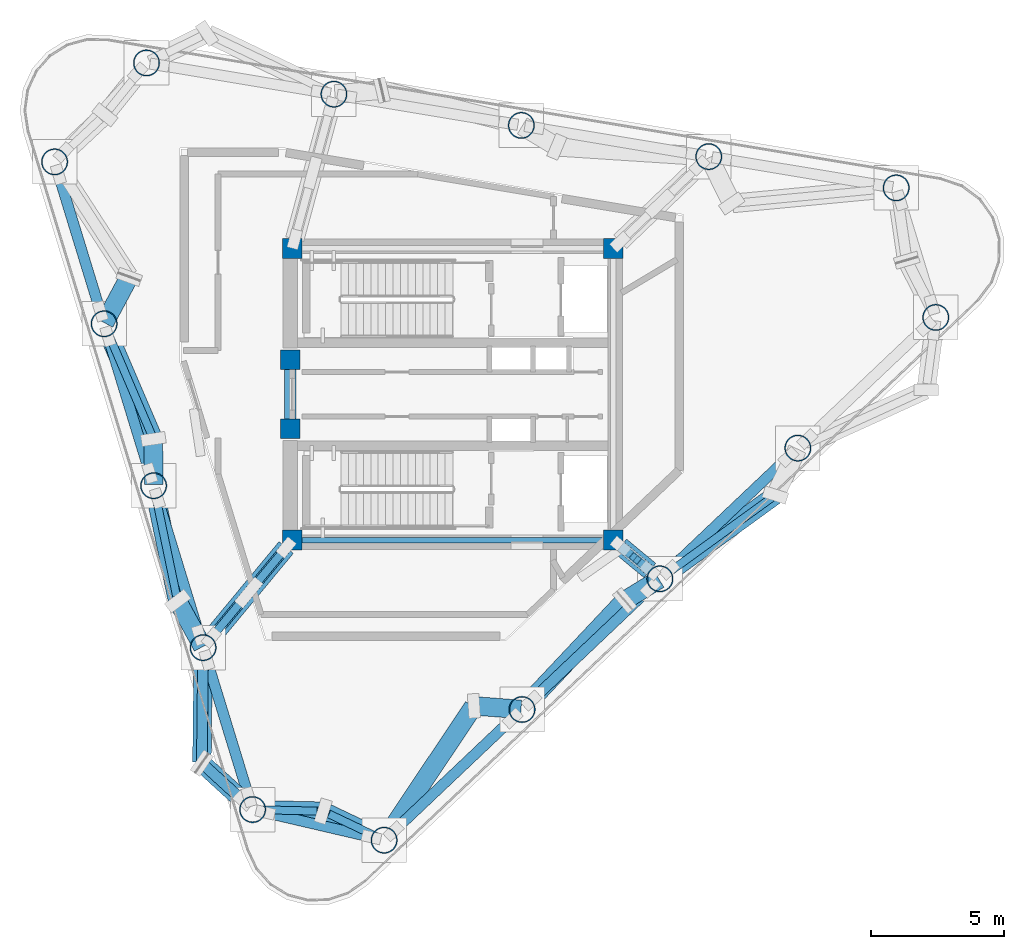
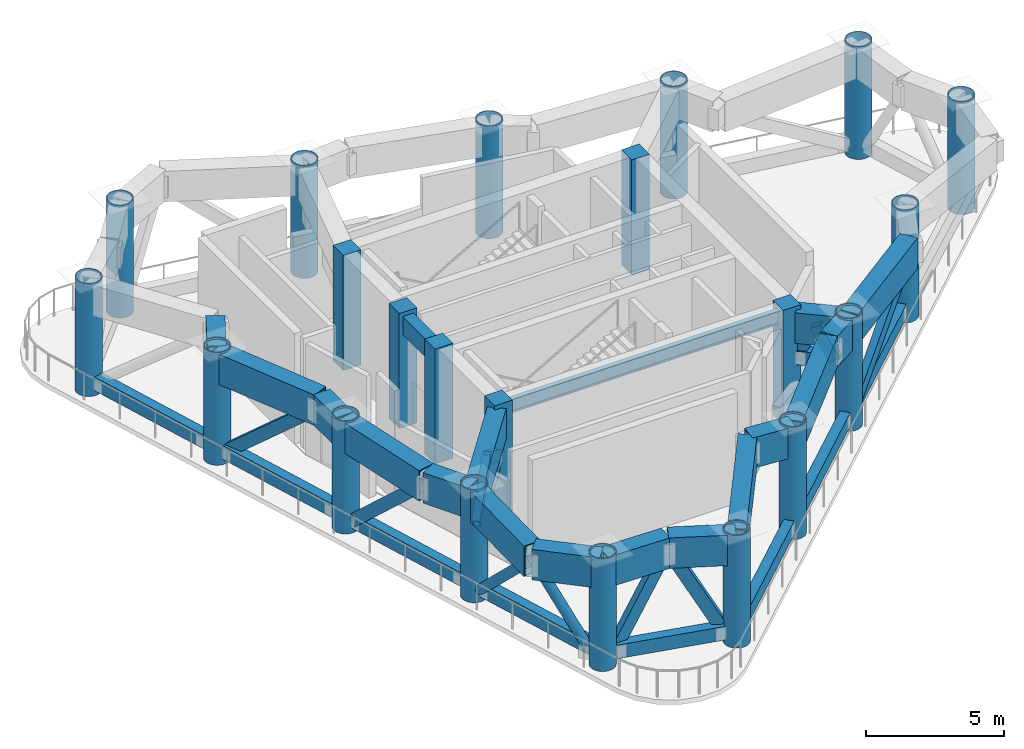
# One storey, part 1 of 9: 21 columns, 21 members, 18 beams.
"""IFC4 building model written with IfcOpenShell, lengths in metres."""

import ifcopenshell
import ifcopenshell.guid

model = None  # the IFC model being written
_history = None  # IfcOwnerHistory: only IFC2X3 demands one
_inside = {}  # id of a spatial element -> (the spatial element, [elements in it])
_under = {}  # id of a project, library or spatial element -> (it, [spatial elements below it])
_declared = {}  # id of a project -> (the project, [libraries it declares])
_typed = {}  # id of a type object -> (the type object, [elements of that type])
_made_of = {}  # id of a material, layer set ... -> (it, [elements and type objects made of it])


def new_model(schema):
    """Start an empty IFC model of exactly this schema.

    Asked for "IFC4X3", IfcOpenShell would pick the latest addendum, in which some entities
    have other attributes; the version numbers below select the first issue.
    IFC2X3 requires an IfcOwnerHistory on every rooted entity: one is made here for all.
    """
    global model, _history
    if schema == "IFC4X3":
        model = ifcopenshell.file(schema_version=(4, 3, 0, 0))
    else:
        model = ifcopenshell.file(schema=schema)
    _inside.clear()
    _under.clear()
    _declared.clear()
    _typed.clear()
    _made_of.clear()
    _history = None
    if model.schema == "IFC2X3":
        org = make("IfcOrganization", Name="unknown")
        user = make(
            "IfcPersonAndOrganization",
            ThePerson=make("IfcPerson", FamilyName="unknown"),
            TheOrganization=org,
        )
        app = make(
            "IfcApplication",
            ApplicationDeveloper=org,
            Version="unknown",
            ApplicationFullName="unknown",
            ApplicationIdentifier="unknown",
        )
        _history = make(
            "IfcOwnerHistory",
            OwningUser=user,
            OwningApplication=app,
            ChangeAction="ADDED",
            CreationDate=0,
        )
    return model


def make(cls, **values):
    """One entity of the class cls with the attributes given. An attribute that is None is left unset."""
    return model.create_entity(
        cls, **{name: value for name, value in values.items() if value is not None}
    )


def rooted(cls, **values):
    """An entity with a GlobalId (a new one), such as an element, a storey or a relation."""
    return make(cls, GlobalId=ifcopenshell.guid.new(), OwnerHistory=_history, **values)


def si_unit(unit_type, name, prefix=None):
    """IfcSIUnit, for example si_unit("LENGTHUNIT", "METRE", prefix="MILLI")."""
    return make("IfcSIUnit", UnitType=unit_type, Prefix=prefix, Name=name)


def assignment(units):
    """IfcUnitAssignment: the units of a project."""
    return None if units is None else make("IfcUnitAssignment", Units=units)


def point(xyz):
    """IfcCartesianPoint."""
    return None if xyz is None else make("IfcCartesianPoint", Coordinates=xyz)


def direction(xyz):
    """IfcDirection."""
    return None if xyz is None else make("IfcDirection", DirectionRatios=xyz)


def frame(location, z_axis=None, x_axis=None):
    """IfcAxis2Placement3D, a coordinate frame: its origin and axes. An axis left out is left unset."""
    return make(
        "IfcAxis2Placement3D",
        Location=point(location),
        Axis=direction(z_axis),
        RefDirection=direction(x_axis),
    )


def frame_2d(location, x_axis=None):
    """IfcAxis2Placement2D, a coordinate frame in the plane: its origin and x axis."""
    return make(
        "IfcAxis2Placement2D", Location=point(location), RefDirection=direction(x_axis)
    )


def origin():
    """The frame at (0, 0, 0) with its axes left unset."""
    return frame((0.0, 0.0, 0.0))


def origin_2d():
    """The frame at (0, 0) in the plane with its x axis left unset."""
    return frame_2d((0.0, 0.0))


def place(relative_to, where):
    """IfcLocalPlacement: puts the frame where relative to a parent placement (None: the world)."""
    return make(
        "IfcLocalPlacement", PlacementRelTo=relative_to, RelativePlacement=where
    )


def context(
    kind, dimensions, precision=None, world=None, true_north=None, identifier=None
):
    """IfcGeometricRepresentationContext, for example the 3D "Model" context."""
    return make(
        "IfcGeometricRepresentationContext",
        ContextIdentifier=identifier,
        ContextType=kind,
        CoordinateSpaceDimension=dimensions,
        Precision=precision,
        WorldCoordinateSystem=world,
        TrueNorth=true_north,
    )


def subcontext(parent, identifier, kind, view, scale=None):
    """IfcGeometricRepresentationSubContext, for example "Body" below "Model"."""
    return make(
        "IfcGeometricRepresentationSubContext",
        ContextIdentifier=identifier,
        ContextType=kind,
        ParentContext=parent,
        TargetScale=scale,
        TargetView=view,
    )


def project(units=None, contexts=None):
    """IfcProject with its units and contexts."""
    return rooted(
        "IfcProject",
        Name="project",
        RepresentationContexts=contexts,
        UnitsInContext=assignment(units),
    )


def spatial(cls, under=None, at=None, **own):
    """A site, building, storey or space (cls), placed at a placement, below another one or the project."""
    s = rooted(cls, ObjectPlacement=at, **own)
    if under is not None:
        _under.setdefault(under.id(), (under, []))[1].append(s)
    return s


def profile(cls, at=None, kind="AREA", **sizes):
    """A parametric profile (cls). Its sizes go by their IFC names, for example OverallWidth=200.0."""
    return make(cls, ProfileType=kind, Position=at, **sizes)


def rectangle(**sizes):
    """IfcRectangleProfileDef."""
    return profile("IfcRectangleProfileDef", **sizes)


def hollow_rectangle(**sizes):
    """IfcRectangleHollowProfileDef."""
    return profile("IfcRectangleHollowProfileDef", **sizes)


def hollow_circle(**sizes):
    """IfcCircleHollowProfileDef."""
    return profile("IfcCircleHollowProfileDef", **sizes)


def i_section(**sizes):
    """IfcIShapeProfileDef."""
    return profile("IfcIShapeProfileDef", **sizes)


def extrude(swept, where, along, depth):
    """IfcExtrudedAreaSolid: the profile swept, set in the frame where, extruded along a direction by depth."""
    return make(
        "IfcExtrudedAreaSolid",
        SweptArea=swept,
        Position=where,
        ExtrudedDirection=direction(along),
        Depth=depth,
    )


def shape(context_of_items, identifier, shape_type, items):
    """IfcShapeRepresentation: the items that make up one representation, for example the "Body"."""
    return make(
        "IfcShapeRepresentation",
        ContextOfItems=context_of_items,
        RepresentationIdentifier=identifier,
        RepresentationType=shape_type,
        Items=items,
    )


def source(mapping_origin, context_of_items, identifier, shape_type, items):
    """IfcRepresentationMap: a shape defined once, which mapped items show again and again."""
    return make(
        "IfcRepresentationMap",
        MappingOrigin=mapping_origin,
        MappedRepresentation=shape(context_of_items, identifier, shape_type, items),
    )


def transform(
    local_origin,
    x_axis=None,
    y_axis=None,
    z_axis=None,
    scale=None,
    scale2=None,
    scale3=None,
    uniform=True,
):
    """IfcCartesianTransformationOperator3D, or its non-uniform kind. x_axis, y_axis, z_axis: its Axis1, 2, 3."""
    if uniform:
        return make(
            "IfcCartesianTransformationOperator3D",
            Axis1=direction(x_axis),
            Axis2=direction(y_axis),
            LocalOrigin=point(local_origin),
            Scale=scale,
            Axis3=direction(z_axis),
        )
    return make(
        "IfcCartesianTransformationOperator3DnonUniform",
        Axis1=direction(x_axis),
        Axis2=direction(y_axis),
        LocalOrigin=point(local_origin),
        Scale=scale,
        Axis3=direction(z_axis),
        Scale2=scale2,
        Scale3=scale3,
    )


def mapped(mapping_source, mapping_target):
    """IfcMappedItem: shows the shape of a source again, moved by a transform."""
    return make(
        "IfcMappedItem", MappingSource=mapping_source, MappingTarget=mapping_target
    )


def material(Name=None, Category=None):
    """IfcMaterial."""
    return make("IfcMaterial", Name=Name, Category=Category)


def material_profile(
    of_material, cross_section, Name=None, Category=None, Priority=None
):
    """IfcMaterialProfile: a cross section and its material."""
    return make(
        "IfcMaterialProfile",
        Name=Name,
        Material=of_material,
        Profile=cross_section,
        Priority=Priority,
        Category=Category,
    )


def profile_set(profiles, Name=None, composite=None):
    """IfcMaterialProfileSet."""
    return make(
        "IfcMaterialProfileSet",
        Name=Name,
        MaterialProfiles=profiles,
        CompositeProfile=composite,
    )


def made_of(thing, what):
    """Note that an element or type object is made of a material, layer set ...; save() writes the relation."""
    if what is not None:
        _made_of.setdefault(what.id(), (what, []))[1].append(thing)
    return thing


def type_object(cls, material=None, **own):
    """A type object (cls), such as IfcWallType, which elements share."""
    return made_of(rooted(cls, **own), material)


def element(
    cls,
    number,
    at=None,
    inside=None,
    cuts=None,
    type_object=None,
    material=None,
    context=None,
    identifier="Body",
    shape_type=None,
    held_by="IfcProductDefinitionShape",
    body=None,
    shapes=None,
    **own,
):
    """One element of the class cls, such as IfcWall. Its Tag is "e" and its number.

    at: its placement. inside: the storey or other place that contains it. cuts: it is an
    opening in that element (IfcRelVoidsElement). A single representation is given by context,
    identifier, shape_type and body (its items); several are given by shapes. held_by: the class
    of the entity that holds the representations. save() writes the other relations.
    """
    e = rooted(cls, Tag="e%d" % number, ObjectPlacement=at, **own)
    if body is not None:
        shapes = [shape(context, identifier, shape_type, body)]
    if shapes is not None:
        e.Representation = make(held_by, Representations=shapes)
    if inside is not None:
        _inside.setdefault(inside.id(), (inside, []))[1].append(e)
    if cuts is not None:
        rooted(
            "IfcRelVoidsElement", RelatingBuildingElement=cuts, RelatedOpeningElement=e
        )
    if type_object is not None:
        _typed.setdefault(type_object.id(), (type_object, []))[1].append(e)
    return made_of(e, material)


def aggregate(whole, parts):
    """IfcRelAggregates: a whole, such as a stair, and the parts it consists of."""
    return rooted("IfcRelAggregates", RelatingObject=whole, RelatedObjects=parts)


def save(model, path):
    """Write the relations noted so far, then the file.

    IfcRelAggregates (storeys below a building ...), IfcRelContainedInSpatialStructure (elements
    in a storey), IfcRelDefinesByType, IfcRelAssociatesMaterial and IfcRelDeclares: one each for
    every whole, place, type object, material and project.
    """
    for whole, parts in _under.values():
        aggregate(whole, parts)
    for where, things in _inside.values():
        rooted(
            "IfcRelContainedInSpatialStructure",
            RelatedElements=things,
            RelatingStructure=where,
        )
    for kind, things in _typed.values():
        rooted("IfcRelDefinesByType", RelatedObjects=things, RelatingType=kind)
    for what, things in _made_of.values():
        rooted("IfcRelAssociatesMaterial", RelatedObjects=things, RelatingMaterial=what)
    for by, libraries in _declared.values():
        rooted("IfcRelDeclares", RelatingContext=by, RelatedDefinitions=libraries)
    model.write(path)


model = new_model("IFC4")

# Units and contexts
model_context = context("Model", 3, precision=1e-05, world=origin(), true_north=direction((0.0, 1.0)))
body_context = subcontext(model_context, "Body", "Model", "MODEL_VIEW")
ifc_project = project(units=[si_unit("LENGTHUNIT", "METRE"), si_unit("AREAUNIT", "SQUARE_METRE"), si_unit("VOLUMEUNIT", "CUBIC_METRE"), si_unit("PLANEANGLEUNIT", "RADIAN"), si_unit("MASSUNIT", "GRAM", prefix="KILO")], contexts=[model_context])

# Site, building, storey
site_placement = place(None, origin())
site = spatial("IfcSite", under=ifc_project, at=site_placement, CompositionType="ELEMENT")
building_placement = place(site_placement, origin())
building = spatial("IfcBuilding", under=site, at=building_placement, Name="Yunling Apex Tower", CompositionType="ELEMENT")
storey_placement = place(building_placement, frame((0.0, 0.0, 252.449951171875)))
storey = spatial("IfcBuildingStorey", under=building, at=storey_placement, Name="RF7", CompositionType="ELEMENT", Elevation=252.449951171875)

# Columns
ifc_material_1 = material(Name="Concrete C50", Category="concrete")
ifc_material_profile_1 = material_profile(ifc_material_1, rectangle(XDim=0.75, YDim=0.75, at=origin_2d()))
ifc_profile_set_1 = profile_set([ifc_material_profile_1], Name="Concrete C50")
column_type_1 = type_object("IfcColumnType", Name="PC-SRC-4", PredefinedType="COLUMN", material=ifc_profile_set_1)
shared_shape_1 = source(origin(), body_context, "Body", "SweptSolid", [
    extrude(rectangle(XDim=0.75, YDim=0.75, at=origin_2d()), origin(), (0.0, 0.0, 1.0), 5.10009765625),
])
for number, where, z_axis, x_axis, name in (
    (1, (-6.050048828125, -5.5, 0.0), (0.0, 0.0, 1.0), (1.0, 0.0, 0.0), "RF7 Core Spine Column CC-SW"),
    (2, (6.050048828125, -5.5, 0.0), (0.0, 0.0, 1.0), (1.0, 0.0, 0.0), "RF7 Core Spine Column CC-SE"),
    (3, (6.050048828125, 5.5, 0.0), (0.0, 0.0, 1.0), (1.0, 0.0, 0.0), "RF7 Core Spine Column CC-NE"),
    (4, (-6.050048828125, 5.5, 0.0), (0.0, 0.0, 1.0), (1.0, 0.0, 0.0), "RF7 Core Spine Column CC-NW"),
    (5, (-6.125, -1.300048828125, 0.0), (0.0, 0.0, 1.0), (1.0, 0.0, 0.0), "RF7 Core West Portal Jamb Column S"),
    (6, (-6.125, 1.300048828125, 0.0), (0.0, 0.0, 1.0), (1.0, 0.0, 0.0), "RF7 Core West Portal Jamb Column N"),
):
    element("IfcColumn", number, at=place(storey_placement, frame(where, z_axis=z_axis, x_axis=x_axis)), inside=storey, type_object=column_type_1, Name=name, PredefinedType="COLUMN", context=body_context, shape_type="MappedRepresentation", body=[
        mapped(shared_shape_1, transform((0.0, 0.0, 0.0), scale=1.0)),
    ])
ifc_material_2 = material(Name="Steel Q390GJC", Category="steel")
ifc_material_profile_2 = material_profile(ifc_material_2, hollow_circle(Radius=0.5, WallThickness=0.0400390625, at=origin_2d()))
ifc_profile_set_2 = profile_set([ifc_material_profile_2], Name="Steel Q390GJC")
column_type_2 = type_object("IfcColumnType", Name="MC-CFST-5", PredefinedType="COLUMN", material=ifc_profile_set_2)
shared_shape_2 = source(origin(), body_context, "Body", "SweptSolid", [
    extrude(hollow_circle(Radius=0.5, WallThickness=0.0400390625, at=origin_2d()), origin(), (0.0, 0.0, 1.0), 5.0),
])
for number, where, z_axis, x_axis, name in (
    (7, (-2.58740234375, -16.807861328125, 0.0), (0.0, 0.0, 1.0), (1.0, 0.0, 0.0), "RF7 Lower-Block CFST Column P01"),
    (8, (2.61083984375, -11.8818359375, 0.0), (0.0, 0.0, 1.0), (1.0, 0.0, 0.0), "RF7 Lower-Block CFST Column P02"),
    (9, (7.80908203125, -6.9560546875, 0.0), (0.0, 0.0, 1.0), (1.0, 0.0, 0.0), "RF7 Lower-Block CFST Column P03"),
    (10, (13.007080078125, -2.030029296875, 0.0), (0.0, 0.0, 1.0), (1.0, 0.0, 0.0), "RF7 Lower-Block CFST Column P04"),
    (11, (18.205322265625, 2.89599609375, 0.0), (0.0, 0.0, 1.0), (1.0, 0.0, 0.0), "RF7 Lower-Block CFST Column P05"),
    (12, (16.712158203125, 7.779296875, 0.0), (0.0, 0.0, 1.0), (1.0, 0.0, 0.0), "RF7 Lower-Block CFST Column P06"),
    (13, (9.648193359375, 8.95654296875, 0.0), (0.0, 0.0, 1.0), (1.0, 0.0, 0.0), "RF7 Lower-Block CFST Column P07"),
    (14, (2.584228515625, 10.133544921875, 0.0), (0.0, 0.0, 1.0), (1.0, 0.0, 0.0), "RF7 Lower-Block CFST Column P08"),
    (15, (-4.479736328125, 11.310546875, 0.0), (0.0, 0.0, 1.0), (1.0, 0.0, 0.0), "RF7 Lower-Block CFST Column P09"),
    (16, (-11.543701171875, 12.487548828125, 0.0), (0.0, 0.0, 1.0), (1.0, 0.0, 0.0), "RF7 Lower-Block CFST Column P10"),
    (17, (-15.007568359375, 8.7587890625, 0.0), (0.0, 0.0, 1.0), (1.0, 0.0, 0.0), "RF7 Lower-Block CFST Column P11"),
    (18, (-13.1416015625, 2.65576171875, 0.0), (0.0, 0.0, 1.0), (1.0, 0.0, 0.0), "RF7 Lower-Block CFST Column P12"),
    (19, (-11.27587890625, -3.447509765625, 0.0), (0.0, 0.0, 1.0), (1.0, 0.0, 0.0), "RF7 Lower-Block CFST Column P13"),
    (20, (-9.409912109375, -9.55029296875, 0.0), (0.0, 0.0, 1.0), (1.0, 0.0, 0.0), "RF7 Lower-Block CFST Column P14"),
    (21, (-7.5439453125, -15.6533203125, 0.0), (0.0, 0.0, 1.0), (1.0, 0.0, 0.0), "RF7 Lower-Block CFST Column P15"),
):
    element("IfcColumn", number, at=place(storey_placement, frame(where, z_axis=z_axis, x_axis=x_axis)), inside=storey, type_object=column_type_2, Name=name, PredefinedType="COLUMN", context=body_context, shape_type="MappedRepresentation", body=[
        mapped(shared_shape_2, transform((0.0, 0.0, 0.0), scale=1.0)),
    ])

# Beams
ifc_material_3 = material(Name="Concrete C40", Category="concrete")
ifc_material_profile_3 = material_profile(ifc_material_3, rectangle(XDim=0.449951171875, YDim=0.800048828125, at=origin_2d()))
ifc_profile_set_3 = profile_set([ifc_material_profile_3], Name="Concrete C40")
beam_type_1 = type_object("IfcBeamType", Name="BC-CPL-3", PredefinedType="BEAM", material=ifc_profile_set_3)
shared_shape_3 = source(origin(), body_context, "Body", "SweptSolid", [
    extrude(rectangle(XDim=0.449951171875, YDim=0.800048828125, at=origin_2d()), origin(), (0.0, 0.0, 1.0), 2.5),
])
beam_1_placement = place(storey_placement, frame((-6.125, -1.25, 4.52001953125), z_axis=(0.0, 1.0, 0.0), x_axis=(-1.0, 0.0, 0.0)))
element("IfcBeam", 22, at=beam_1_placement, inside=storey, type_object=beam_type_1, Name="RF7 Core West Portal Coupling Beam", PredefinedType="BEAM", context=body_context, shape_type="MappedRepresentation", body=[
    mapped(shared_shape_3, transform((0.0, 0.0, 0.0), scale=1.0)),
])
ifc_material_4 = material(Name="Steel Q355B", Category="steel")
ifc_material_profile_4 = material_profile(ifc_material_4, i_section(OverallWidth=0.199951171875, OverallDepth=0.60009765625, WebThickness=0.010986328125, FlangeThickness=0.01708984375, FilletRadius=0.02197265625, at=origin_2d()))
ifc_profile_set_4 = profile_set([ifc_material_profile_4], Name="Steel Q355B")
beam_type_2 = type_object("IfcBeamType", Name="BG-PRI-5", PredefinedType="USERDEFINED", material=ifc_profile_set_4)
shared_shape_4 = source(origin(), body_context, "Body", "SweptSolid", [
    extrude(i_section(OverallWidth=0.199951171875, OverallDepth=0.60009765625, WebThickness=0.010986328125, FlangeThickness=0.01708984375, FilletRadius=0.02197265625, at=origin_2d()), origin(), (0.0, 0.0, 1.0), 11.7998046875),
])
beam_2_placement = place(storey_placement, frame((-5.89990234375, -5.5, 4.6201171875), z_axis=(1.0, 0.0, 0.0), x_axis=(0.0, 1.0, 0.0)))
element("IfcBeam", 23, at=beam_2_placement, inside=storey, type_object=beam_type_2, Name="RF7 Core Ring Tie Beam 1", ObjectType="GIRDER", PredefinedType="USERDEFINED", context=body_context, shape_type="MappedRepresentation", body=[
    mapped(shared_shape_4, transform((0.0, 0.0, 0.0), scale=1.0)),
])
ifc_material_profile_5 = material_profile(ifc_material_2, hollow_rectangle(XDim=0.699951171875, YDim=1.35009765625, WallThickness=0.044921875, at=origin_2d()))
ifc_profile_set_5 = profile_set([ifc_material_profile_5], Name="Steel Q390GJC")
beam_type_3 = type_object("IfcBeamType", Name="BTRNG-2", PredefinedType="USERDEFINED", material=ifc_profile_set_5)
shared_shape_5 = source(origin(), body_context, "Body", "SweptSolid", [
    extrude(hollow_rectangle(XDim=0.699951171875, YDim=1.35009765625, WallThickness=0.044921875, at=origin_2d()), origin(), (0.0, 0.0, 1.0), 2.511962890625),
])
beam_3_placement = place(storey_placement, frame((-9.427978515625, -13.93212890625, 4.2451171875), z_axis=(0.738266623868, -0.674509000743, 0.0), x_axis=(0.674509000743, 0.738266623868, 0.0)))
element("IfcBeam", 24, at=beam_3_placement, inside=storey, type_object=beam_type_3, Name="RF7 Panel-Split Box Ring Transfer Girder 5", ObjectType="GIRDER", PredefinedType="USERDEFINED", context=body_context, shape_type="MappedRepresentation", body=[
    mapped(shared_shape_5, transform((0.0, 0.0, 0.0), scale=1.0)),
])

# Members
ifc_material_profile_6 = material_profile(ifc_material_4, hollow_rectangle(XDim=0.39990234375, YDim=0.60009765625, WallThickness=0.030029296875, at=origin_2d()))
ifc_profile_set_6 = profile_set([ifc_material_profile_6], Name="Steel Q355B")
member_type_1 = type_object("IfcMemberType", Name="BT-CHD-2", PredefinedType="CHORD", material=ifc_profile_set_6)
shared_shape_6 = source(origin(), body_context, "Body", "SweptSolid", [
    extrude(hollow_rectangle(XDim=0.39990234375, YDim=0.60009765625, WallThickness=0.030029296875, at=origin_2d()), origin(), (0.0, 0.0, 1.0), 6.177490234375),
])
for number, where, z_axis, x_axis, name in (
    (25, (-2.230224609375, -16.469482421875, 0.550048828125), (0.725841554244, 0.687861932463, 0.0), (-0.687861932463, 0.725841554244, 0.0), "RF7 Belt-Truss Bottom Chord 1"),
    (26, (8.166015625, -6.61767578125, 0.550048828125), (0.725841554244, 0.687861932463, 0.0), (-0.687861932463, 0.725841554244, 0.0), "RF7 Belt-Truss Bottom Chord 3"),
):
    element("IfcMember", number, at=place(storey_placement, frame(where, z_axis=z_axis, x_axis=x_axis)), inside=storey, type_object=member_type_1, Name=name, PredefinedType="CHORD", context=body_context, shape_type="MappedRepresentation", body=[
        mapped(shared_shape_6, transform((0.0, 0.0, 0.0), scale=1.0)),
    ])
shared_shape_7 = source(origin(), body_context, "Body", "SweptSolid", [
    extrude(hollow_rectangle(XDim=0.39990234375, YDim=0.60009765625, WallThickness=0.030029296875, at=origin_2d()), origin(), (0.0, 0.0, 1.0), 6.17724609375),
])
member_1_placement = place(storey_placement, frame((2.968017578125, -11.54345703125, 0.550048828125), z_axis=(0.725861286448, 0.687841110167, 0.0), x_axis=(-0.687841110167, 0.725861286448, 0.0)))
element("IfcMember", 27, at=member_1_placement, inside=storey, type_object=member_type_1, Name="RF7 Belt-Truss Bottom Chord 2", PredefinedType="CHORD", context=body_context, shape_type="MappedRepresentation", body=[
    mapped(shared_shape_7, transform((0.0, 0.0, 0.0), scale=1.0)),
])
shared_shape_8 = source(origin(), body_context, "Body", "SweptSolid", [
    extrude(hollow_rectangle(XDim=0.39990234375, YDim=0.60009765625, WallThickness=0.030029296875, at=origin_2d()), origin(), (0.0, 0.0, 1.0), 5.397705078125),
])
for number, where, z_axis, x_axis, name in (
    (28, (-14.86376953125, 8.2880859375, 0.550048828125), (0.292410429043, -0.956292915893, 0.0), (0.956292915893, 0.292410429043, 0.0), "RF7 Belt-Truss Bottom Chord 11"),
    (29, (-11.132080078125, -3.91796875, 0.550048828125), (0.292410429043, -0.956292915893, 0.0), (0.956292915893, 0.292410429043, 0.0), "RF7 Belt-Truss Bottom Chord 13"),
    (30, (-9.26611328125, -10.02099609375, 0.550048828125), (0.292410429043, -0.956292915893, 0.0), (0.956292915893, 0.292410429043, 0.0), "RF7 Belt-Truss Bottom Chord 14"),
):
    element("IfcMember", number, at=place(storey_placement, frame(where, z_axis=z_axis, x_axis=x_axis)), inside=storey, type_object=member_type_1, Name=name, PredefinedType="CHORD", context=body_context, shape_type="MappedRepresentation", body=[
        mapped(shared_shape_8, transform((0.0, 0.0, 0.0), scale=1.0)),
    ])
shared_shape_9 = source(origin(), body_context, "Body", "SweptSolid", [
    extrude(hollow_rectangle(XDim=0.39990234375, YDim=0.60009765625, WallThickness=0.030029296875, at=origin_2d()), origin(), (0.0, 0.0, 1.0), 5.39794921875),
])
member_2_placement = place(storey_placement, frame((-12.997802734375, 2.185302734375, 0.550048828125), z_axis=(0.292356420153, -0.956309428791, 0.0), x_axis=(0.956309428791, 0.292356420153, 0.0)))
element("IfcMember", 31, at=member_2_placement, inside=storey, type_object=member_type_1, Name="RF7 Belt-Truss Bottom Chord 12", PredefinedType="CHORD", context=body_context, shape_type="MappedRepresentation", body=[
    mapped(shared_shape_9, transform((0.0, 0.0, 0.0), scale=1.0)),
])
shared_shape_10 = source(origin(), body_context, "Body", "SweptSolid", [
    extrude(hollow_rectangle(XDim=0.39990234375, YDim=0.60009765625, WallThickness=0.030029296875, at=origin_2d()), origin(), (0.0, 0.0, 1.0), 4.105224609375),
])
member_3_placement = place(storey_placement, frame((-7.064697265625, -15.764892578125, 0.550048828125), z_axis=(0.97392405062, -0.226874290353, 0.0), x_axis=(0.226874290353, 0.97392405062, 0.0)))
element("IfcMember", 32, at=member_3_placement, inside=storey, type_object=member_type_1, Name="RF7 Belt-Truss Bottom Chord 15", PredefinedType="CHORD", context=body_context, shape_type="MappedRepresentation", body=[
    mapped(shared_shape_10, transform((0.0, 0.0, 0.0), scale=1.0)),
])

# Beams
shared_shape_11 = source(origin(), body_context, "Body", "SweptSolid", [
    extrude(hollow_rectangle(XDim=0.699951171875, YDim=1.35009765625, WallThickness=0.044921875, at=origin_2d()), origin(), (0.0, 0.0, 1.0), 1.68115234375),
])
beam_4_placement = place(storey_placement, frame((-11.283447265625, -1.726318359375, 4.2451171875), z_axis=(0.004501842269, -0.999989866657, 0.0), x_axis=(0.999989866657, 0.004501842269, 0.0)))
element("IfcBeam", 33, at=beam_4_placement, inside=storey, type_object=beam_type_3, Name="RF7 Panel-Split Box Ring Transfer Girder 1", ObjectType="GIRDER", PredefinedType="USERDEFINED", context=body_context, shape_type="MappedRepresentation", body=[
    mapped(shared_shape_11, transform((0.0, 0.0, 0.0), scale=1.0)),
])
shared_shape_12 = source(origin(), body_context, "Body", "SweptSolid", [
    extrude(hollow_rectangle(XDim=0.699951171875, YDim=1.35009765625, WallThickness=0.044921875, at=origin_2d()), origin(), (0.0, 0.0, 1.0), 4.361572265625),
])
beam_5_placement = place(storey_placement, frame((-11.267578125, -3.486572265625, 4.2451171875), z_axis=(0.203753071077, -0.979022311302, 0.0), x_axis=(0.979022311302, 0.203753071077, 0.0)))
element("IfcBeam", 34, at=beam_5_placement, inside=storey, type_object=beam_type_3, Name="RF7 Panel-Split Box Ring Transfer Girder 2", ObjectType="GIRDER", PredefinedType="USERDEFINED", context=body_context, shape_type="MappedRepresentation", body=[
    mapped(shared_shape_12, transform((0.0, 0.0, 0.0), scale=1.0)),
])
shared_shape_13 = source(origin(), body_context, "Body", "SweptSolid", [
    extrude(hollow_rectangle(XDim=0.699951171875, YDim=1.35009765625, WallThickness=0.044921875, at=origin_2d()), origin(), (0.0, 0.0, 1.0), 1.92041015625),
])
beam_6_placement = place(storey_placement, frame((-10.351318359375, -7.830810546875, 4.2451171875), z_axis=(0.480160931368, -0.877180414731, 0.0), x_axis=(0.877180414731, 0.480160931368, 0.0)))
element("IfcBeam", 35, at=beam_6_placement, inside=storey, type_object=beam_type_3, Name="RF7 Panel-Split Box Ring Transfer Girder 3", ObjectType="GIRDER", PredefinedType="USERDEFINED", context=body_context, shape_type="MappedRepresentation", body=[
    mapped(shared_shape_13, transform((0.0, 0.0, 0.0), scale=1.0)),
])
shared_shape_14 = source(origin(), body_context, "Body", "SweptSolid", [
    extrude(hollow_rectangle(XDim=0.699951171875, YDim=1.35009765625, WallThickness=0.044921875, at=origin_2d()), origin(), (0.0, 0.0, 1.0), 4.275146484375),
])
beam_7_placement = place(storey_placement, frame((-9.410400390625, -9.59033203125, 4.2451171875), z_axis=(-0.010964503627, -0.999939888023, 0.0), x_axis=(0.999939888023, -0.010964503627, 0.0)))
element("IfcBeam", 36, at=beam_7_placement, inside=storey, type_object=beam_type_3, Name="RF7 Panel-Split Box Ring Transfer Girder 4", ObjectType="GIRDER", PredefinedType="USERDEFINED", context=body_context, shape_type="MappedRepresentation", body=[
    mapped(shared_shape_14, transform((0.0, 0.0, 0.0), scale=1.0)),
])
shared_shape_15 = source(origin(), body_context, "Body", "SweptSolid", [
    extrude(hollow_rectangle(XDim=0.699951171875, YDim=1.35009765625, WallThickness=0.044921875, at=origin_2d()), origin(), (0.0, 0.0, 1.0), 2.580810546875),
])
beam_8_placement = place(storey_placement, frame((-7.50390625, -15.654296875, 4.2451171875), z_axis=(0.999715815546, -0.023838794996, 0.0), x_axis=(0.023838794996, 0.999715815546, 0.0)))
element("IfcBeam", 37, at=beam_8_placement, inside=storey, type_object=beam_type_3, Name="RF7 Panel-Split Box Ring Transfer Girder 6", ObjectType="GIRDER", PredefinedType="USERDEFINED", context=body_context, shape_type="MappedRepresentation", body=[
    mapped(shared_shape_15, transform((0.0, 0.0, 0.0), scale=1.0)),
])
shared_shape_16 = source(origin(), body_context, "Body", "SweptSolid", [
    extrude(hollow_rectangle(XDim=0.699951171875, YDim=1.35009765625, WallThickness=0.044921875, at=origin_2d()), origin(), (0.0, 0.0, 1.0), 2.462646484375),
])
beam_9_placement = place(storey_placement, frame((-4.84765625, -15.734130859375, 4.2451171875), z_axis=(0.903266937882, -0.429079059066, 0.0), x_axis=(0.429079059066, 0.903266937882, 0.0)))
element("IfcBeam", 38, at=beam_9_placement, inside=storey, type_object=beam_type_3, Name="RF7 Panel-Split Box Ring Transfer Girder 7", ObjectType="GIRDER", PredefinedType="USERDEFINED", context=body_context, shape_type="MappedRepresentation", body=[
    mapped(shared_shape_16, transform((0.0, 0.0, 0.0), scale=1.0)),
])
shared_shape_17 = source(origin(), body_context, "Body", "SweptSolid", [
    extrude(hollow_rectangle(XDim=0.699951171875, YDim=1.35009765625, WallThickness=0.044921875, at=origin_2d()), origin(), (0.0, 0.0, 1.0), 6.010009765625),
])
beam_10_placement = place(storey_placement, frame((-2.565185546875, -16.774658203125, 4.2451171875), z_axis=(0.555759061512, 0.831343410119, 0.0), x_axis=(-0.831343410119, 0.555759061512, 0.0)))
element("IfcBeam", 39, at=beam_10_placement, inside=storey, type_object=beam_type_3, Name="RF7 Panel-Split Box Ring Transfer Girder 8", ObjectType="GIRDER", PredefinedType="USERDEFINED", context=body_context, shape_type="MappedRepresentation", body=[
    mapped(shared_shape_17, transform((0.0, 0.0, 0.0), scale=1.0)),
])
shared_shape_18 = source(origin(), body_context, "Body", "SweptSolid", [
    extrude(hollow_rectangle(XDim=0.699951171875, YDim=1.35009765625, WallThickness=0.044921875, at=origin_2d()), origin(), (0.0, 0.0, 1.0), 1.73876953125),
])
beam_11_placement = place(storey_placement, frame((0.8369140625, -11.747802734375, 4.2451171875), z_axis=(0.997153574155, -0.075397278136, 0.0), x_axis=(0.075397278136, 0.997153574155, 0.0)))
element("IfcBeam", 40, at=beam_11_placement, inside=storey, type_object=beam_type_3, Name="RF7 Panel-Split Box Ring Transfer Girder 9", ObjectType="GIRDER", PredefinedType="USERDEFINED", context=body_context, shape_type="MappedRepresentation", body=[
    mapped(shared_shape_18, transform((0.0, 0.0, 0.0), scale=1.0)),
])
shared_shape_19 = source(origin(), body_context, "Body", "SweptSolid", [
    extrude(hollow_rectangle(XDim=0.699951171875, YDim=1.35009765625, WallThickness=0.044921875, at=origin_2d()), origin(), (0.0, 0.0, 1.0), 5.562744140625),
])
beam_12_placement = place(storey_placement, frame((2.63818359375, -11.852783203125, 4.2451171875), z_axis=(0.685364699005, 0.728199992693, 0.0), x_axis=(-0.728199992693, 0.685364699005, 0.0)))
element("IfcBeam", 41, at=beam_12_placement, inside=storey, type_object=beam_type_3, Name="RF7 Panel-Split Box Ring Transfer Girder 10", ObjectType="GIRDER", PredefinedType="USERDEFINED", context=body_context, shape_type="MappedRepresentation", body=[
    mapped(shared_shape_19, transform((0.0, 0.0, 0.0), scale=1.0)),
])
shared_shape_20 = source(origin(), body_context, "Body", "SweptSolid", [
    extrude(hollow_rectangle(XDim=0.699951171875, YDim=1.35009765625, WallThickness=0.044921875, at=origin_2d()), origin(), (0.0, 0.0, 1.0), 1.481689453125),
])
beam_13_placement = place(storey_placement, frame((6.51220703125, -7.752197265625, 4.2451171875), z_axis=(0.852155758073, 0.523288222668, 0.0), x_axis=(-0.523288222668, 0.852155758073, 0.0)))
element("IfcBeam", 42, at=beam_13_placement, inside=storey, type_object=beam_type_3, Name="RF7 Panel-Split Box Ring Transfer Girder 11", ObjectType="GIRDER", PredefinedType="USERDEFINED", context=body_context, shape_type="MappedRepresentation", body=[
    mapped(shared_shape_20, transform((0.0, 0.0, 0.0), scale=1.0)),
])
shared_shape_21 = source(origin(), body_context, "Body", "SweptSolid", [
    extrude(hollow_rectangle(XDim=0.699951171875, YDim=1.35009765625, WallThickness=0.044921875, at=origin_2d()), origin(), (0.0, 0.0, 1.0), 5.29345703125),
])
beam_14_placement = place(storey_placement, frame((7.84130859375, -6.9326171875, 4.2451171875), z_axis=(0.80950522827, 0.587112668407, 0.0), x_axis=(-0.587112668407, 0.80950522827, 0.0)))
element("IfcBeam", 43, at=beam_14_placement, inside=storey, type_object=beam_type_3, Name="RF7 Panel-Split Box Ring Transfer Girder 12", ObjectType="GIRDER", PredefinedType="USERDEFINED", context=body_context, shape_type="MappedRepresentation", body=[
    mapped(shared_shape_21, transform((0.0, 0.0, 0.0), scale=1.0)),
])
shared_shape_22 = source(origin(), body_context, "Body", "SweptSolid", [
    extrude(hollow_rectangle(XDim=0.699951171875, YDim=1.35009765625, WallThickness=0.044921875, at=origin_2d()), origin(), (0.0, 0.0, 1.0), 1.924072265625),
])
beam_15_placement = place(storey_placement, frame((-12.215576171875, 4.3876953125, 4.2451171875), z_axis=(-0.471509990527, -0.881860719634, 0.0), x_axis=(0.881860719634, -0.471509990527, 0.0)))
element("IfcBeam", 44, at=beam_15_placement, inside=storey, type_object=beam_type_3, Name="RF7 Panel-Split Box Ring Transfer Girder 29", ObjectType="GIRDER", PredefinedType="USERDEFINED", context=body_context, shape_type="MappedRepresentation", body=[
    mapped(shared_shape_22, transform((0.0, 0.0, 0.0), scale=1.0)),
])
shared_shape_23 = source(origin(), body_context, "Body", "SweptSolid", [
    extrude(hollow_rectangle(XDim=0.699951171875, YDim=1.35009765625, WallThickness=0.044921875, at=origin_2d()), origin(), (0.0, 0.0, 1.0), 4.64306640625),
])
beam_16_placement = place(storey_placement, frame((-13.1259765625, 2.618896484375, 4.2451171875), z_axis=(0.393424238196, -0.91935704098, 0.0), x_axis=(0.91935704098, 0.393424238196, 0.0)))
element("IfcBeam", 45, at=beam_16_placement, inside=storey, type_object=beam_type_3, Name="RF7 Panel-Split Box Ring Transfer Girder 30", ObjectType="GIRDER", PredefinedType="USERDEFINED", context=body_context, shape_type="MappedRepresentation", body=[
    mapped(shared_shape_23, transform((0.0, 0.0, 0.0), scale=1.0)),
])

# Members
ifc_material_profile_7 = material_profile(ifc_material_4, hollow_rectangle(XDim=0.300048828125, YDim=0.5, WallThickness=0.02197265625, at=origin_2d()))
ifc_profile_set_7 = profile_set([ifc_material_profile_7], Name="Steel Q355B")
member_type_2 = type_object("IfcMemberType", Name="BR-BLT-2", PredefinedType="BRACE", material=ifc_profile_set_7)
shared_shape_24 = source(origin(), body_context, "Body", "SweptSolid", [
    extrude(hollow_rectangle(XDim=0.300048828125, YDim=0.5, WallThickness=0.02197265625, at=origin_2d()), origin(), (0.0, 0.0, 1.0), 4.21728515625),
])
member_4_placement = place(storey_placement, frame((-3.02978515625, -16.59765625, 0.550048828125), z_axis=(-0.435346021876, 0.206789360391, 0.876191760784), x_axis=(-0.429056814568, -0.903277504354, 0.0)))
element("IfcMember", 46, at=member_4_placement, inside=storey, type_object=member_type_2, Name="RF7 Belt-Truss Diagonal 1-1", PredefinedType="BRACE", context=body_context, shape_type="MappedRepresentation", body=[
    mapped(shared_shape_24, transform((0.0, 0.0, 0.0), scale=1.0)),
])
shared_shape_25 = source(origin(), body_context, "Body", "SweptSolid", [
    extrude(hollow_rectangle(XDim=0.300048828125, YDim=0.5, WallThickness=0.02197265625, at=origin_2d()), origin(), (0.0, 0.0, 1.0), 4.275634765625),
])
member_5_placement = place(storey_placement, frame((-7.05419921875, -15.6650390625, 0.550048828125), z_axis=(0.502950495441, -0.011991326526, 0.864232033209), x_axis=(0.023835188388, 0.999715901541, 0.0)))
element("IfcMember", 47, at=member_5_placement, inside=storey, type_object=member_type_2, Name="RF7 Belt-Truss Diagonal 1-2", PredefinedType="BRACE", context=body_context, shape_type="MappedRepresentation", body=[
    mapped(shared_shape_25, transform((0.0, 0.0, 0.0), scale=1.0)),
])
shared_shape_26 = source(origin(), body_context, "Body", "SweptSolid", [
    extrude(hollow_rectangle(XDim=0.300048828125, YDim=0.5, WallThickness=0.02197265625, at=origin_2d()), origin(), (0.0, 0.0, 1.0), 6.10791015625),
])
member_6_placement = place(storey_placement, frame((8.205810546875, -6.668212890625, 0.550048828125), z_axis=(0.64454626198, 0.467510888689, 0.604974119384), x_axis=(-0.58714442097, 0.809482198028, 0.0)))
element("IfcMember", 48, at=member_6_placement, inside=storey, type_object=member_type_2, Name="RF7 Belt-Truss Diagonal 4-1", PredefinedType="BRACE", context=body_context, shape_type="MappedRepresentation", body=[
    mapped(shared_shape_26, transform((0.0, 0.0, 0.0), scale=1.0)),
])
shared_shape_27 = source(origin(), body_context, "Body", "SweptSolid", [
    extrude(hollow_rectangle(XDim=0.300048828125, YDim=0.5, WallThickness=0.02197265625, at=origin_2d()), origin(), (0.0, 0.0, 1.0), 5.603515625),
])
member_7_placement = place(storey_placement, frame((-12.94873046875, 2.205078125, 0.550048828125), z_axis=(0.295742774064, -0.691170207388, 0.65940879279), x_axis=(0.919372693108, 0.393387660162, 0.0)))
element("IfcMember", 49, at=member_7_placement, inside=storey, type_object=member_type_2, Name="RF7 Belt-Truss Diagonal 13-1", PredefinedType="BRACE", context=body_context, shape_type="MappedRepresentation", body=[
    mapped(shared_shape_27, transform((0.0, 0.0, 0.0), scale=1.0)),
])
shared_shape_28 = source(origin(), body_context, "Body", "SweptSolid", [
    extrude(hollow_rectangle(XDim=0.300048828125, YDim=0.5, WallThickness=0.02197265625, at=origin_2d()), origin(), (0.0, 0.0, 1.0), 5.3955078125),
])
member_8_placement = place(storey_placement, frame((-11.17578125, -3.927001953125, 0.550048828125), z_axis=(0.148463067146, -0.713401010856, 0.684848680661), x_axis=(0.979024825472, 0.203740990256, 0.0)))
element("IfcMember", 50, at=member_8_placement, inside=storey, type_object=member_type_2, Name="RF7 Belt-Truss Diagonal 14-1", PredefinedType="BRACE", context=body_context, shape_type="MappedRepresentation", body=[
    mapped(shared_shape_28, transform((0.0, 0.0, 0.0), scale=1.0)),
])
ifc_material_profile_8 = material_profile(ifc_material_4, hollow_circle(Radius=0.202880859375, WallThickness=0.01611328125, at=origin_2d()))
ifc_profile_set_8 = profile_set([ifc_material_profile_8], Name="Steel Q355B")
member_type_3 = type_object("IfcMemberType", Name="BR-PER-3", PredefinedType="BRACE", material=ifc_profile_set_8)
shared_shape_29 = source(origin(), body_context, "Body", "SweptSolid", [
    extrude(hollow_circle(Radius=0.202880859375, WallThickness=0.01611328125, at=origin_2d()), origin(), (0.0, 0.0, 1.0), 4.2412109375),
])
member_9_placement = place(storey_placement, frame((-7.90576171875, -15.322998046875, 0.550048828125), z_axis=(-0.362418108999, 0.331103710763, 0.871219517107), x_axis=(-0.674491768815, -0.738282367256, 0.0)))
element("IfcMember", 51, at=member_9_placement, inside=storey, type_object=member_type_3, Name="RF7 Belt-Truss Diagonal 15-1", PredefinedType="BRACE", context=body_context, shape_type="MappedRepresentation", body=[
    mapped(shared_shape_29, transform((0.0, 0.0, 0.0), scale=1.0)),
])
shared_shape_30 = source(origin(), body_context, "Body", "SweptSolid", [
    extrude(hollow_circle(Radius=0.202880859375, WallThickness=0.01611328125, at=origin_2d()), origin(), (0.0, 0.0, 1.0), 5.332763671875),
])
member_10_placement = place(storey_placement, frame((-9.415283203125, -10.040283203125, 0.550048828125), z_axis=(-0.007920053689, -0.720999569686, 0.692890246187), x_axis=(0.999939672276, -0.010984161744, 0.0)))
element("IfcMember", 52, at=member_10_placement, inside=storey, type_object=member_type_3, Name="RF7 Belt-Truss Diagonal 15-2", PredefinedType="BRACE", context=body_context, shape_type="MappedRepresentation", body=[
    mapped(shared_shape_30, transform((0.0, 0.0, 0.0), scale=1.0)),
])

# Beam
shared_shape_31 = source(origin(), body_context, "Body", "SweptSolid", [
    extrude(hollow_rectangle(XDim=0.699951171875, YDim=1.35009765625, WallThickness=0.044921875, at=origin_2d()), origin(), (0.0, 0.0, 1.0), 4.41259765625),
])
beam_17_placement = place(storey_placement, frame((-6.27978515625, -5.777099609375, 4.2451171875), z_axis=(-0.638468589262, -0.769647880869, 0.0), x_axis=(0.769647880869, -0.638468589262, 0.0)))
element("IfcBeam", 53, at=beam_17_placement, inside=storey, type_object=beam_type_3, Name="RF7 Radial Outrigger Top Girder 1", ObjectType="GIRDER", PredefinedType="USERDEFINED", context=body_context, shape_type="MappedRepresentation", body=[
    mapped(shared_shape_31, transform((0.0, 0.0, 0.0), scale=1.0)),
])

# Members
shared_shape_32 = source(origin(), body_context, "Body", "SweptSolid", [
    extrude(hollow_rectangle(XDim=0.39990234375, YDim=0.60009765625, WallThickness=0.030029296875, at=origin_2d()), origin(), (0.0, 0.0, 1.0), 4.41259765625),
])
member_11_placement = place(storey_placement, frame((-6.27978515625, -5.777099609375, 2.820068359375), z_axis=(-0.638468589262, -0.769647880869, 0.0), x_axis=(0.769647880869, -0.638468589262, 0.0)))
element("IfcMember", 54, at=member_11_placement, inside=storey, type_object=member_type_1, Name="RF7 Radial Outrigger Lower Chord 1", PredefinedType="CHORD", context=body_context, shape_type="MappedRepresentation", body=[
    mapped(shared_shape_32, transform((0.0, 0.0, 0.0), scale=1.0)),
])
ifc_material_profile_9 = material_profile(ifc_material_4, hollow_rectangle(XDim=0.300048828125, YDim=0.449951171875, WallThickness=0.02001953125, at=origin_2d()))
ifc_profile_set_9 = profile_set([ifc_material_profile_9], Name="Steel Q355B")
member_type_4 = type_object("IfcMemberType", Name="BR-OUT-2", PredefinedType="BRACE", material=ifc_profile_set_9)
shared_shape_33 = source(origin(), body_context, "Body", "SweptSolid", [
    extrude(hollow_rectangle(XDim=0.300048828125, YDim=0.449951171875, WallThickness=0.02001953125, at=origin_2d()), origin(), (0.0, 0.0, 1.0), 2.62646484375),
])
member_12_placement = place(storey_placement, frame((-6.27978515625, -5.777099609375, 2.820068359375), z_axis=(-0.536342890626, -0.646493033674, 0.542570789009), x_axis=(0.769625325988, -0.638495777275, 0.0)))
element("IfcMember", 55, at=member_12_placement, inside=storey, type_object=member_type_4, Name="RF7 Outrigger Inner Diagonal 1A", PredefinedType="BRACE", context=body_context, shape_type="MappedRepresentation", body=[
    mapped(shared_shape_33, transform((0.0, 0.0, 0.0), scale=1.0)),
])
shared_shape_34 = source(origin(), body_context, "Body", "SweptSolid", [
    extrude(hollow_rectangle(XDim=0.300048828125, YDim=0.449951171875, WallThickness=0.02001953125, at=origin_2d()), origin(), (0.0, 0.0, 1.0), 2.626708984375),
])
member_13_placement = place(storey_placement, frame((-7.6884765625, -7.47509765625, 4.2451171875), z_axis=(-0.536310660265, -0.646547132202, -0.542538184396), x_axis=(0.769670432869, -0.638441402768, 0.0)))
element("IfcMember", 56, at=member_13_placement, inside=storey, type_object=member_type_4, Name="RF7 Outrigger Outer Diagonal 1B", PredefinedType="BRACE", context=body_context, shape_type="MappedRepresentation", body=[
    mapped(shared_shape_34, transform((0.0, 0.0, 0.0), scale=1.0)),
])

# Beam
shared_shape_35 = source(origin(), body_context, "Body", "SweptSolid", [
    extrude(hollow_rectangle(XDim=0.699951171875, YDim=1.35009765625, WallThickness=0.044921875, at=origin_2d()), origin(), (0.0, 0.0, 1.0), 1.433349609375),
])
beam_18_placement = place(storey_placement, frame((6.327392578125, -5.7294921875, 4.2451171875), z_axis=(0.770255822951, -0.637735028998, 0.0), x_axis=(0.637735028998, 0.770255822951, 0.0)))
element("IfcBeam", 57, at=beam_18_placement, inside=storey, type_object=beam_type_3, Name="RF7 Radial Outrigger Top Girder 2", ObjectType="GIRDER", PredefinedType="USERDEFINED", context=body_context, shape_type="MappedRepresentation", body=[
    mapped(shared_shape_35, transform((0.0, 0.0, 0.0), scale=1.0)),
])

# Members
shared_shape_36 = source(origin(), body_context, "Body", "SweptSolid", [
    extrude(hollow_rectangle(XDim=0.39990234375, YDim=0.60009765625, WallThickness=0.030029296875, at=origin_2d()), origin(), (0.0, 0.0, 1.0), 1.433349609375),
])
member_14_placement = place(storey_placement, frame((6.327392578125, -5.7294921875, 2.820068359375), z_axis=(0.770255822951, -0.637735028998, 0.0), x_axis=(0.637735028998, 0.770255822951, 0.0)))
element("IfcMember", 58, at=member_14_placement, inside=storey, type_object=member_type_1, Name="RF7 Radial Outrigger Lower Chord 2", PredefinedType="CHORD", context=body_context, shape_type="MappedRepresentation", body=[
    mapped(shared_shape_36, transform((0.0, 0.0, 0.0), scale=1.0)),
])
shared_shape_37 = source(origin(), body_context, "Body", "SweptSolid", [
    extrude(hollow_rectangle(XDim=0.300048828125, YDim=0.449951171875, WallThickness=0.02001953125, at=origin_2d()), origin(), (0.0, 0.0, 1.0), 1.59521484375),
])
for number, where, z_axis, x_axis, name in (
    (59, (6.327392578125, -5.7294921875, 2.820068359375), (0.346060769278, -0.286521786859, 0.893390849305), (0.637735028998, 0.770255822951, 0.0), "RF7 Outrigger Inner Diagonal 2A"),
    (60, (6.87939453125, -6.1865234375, 4.2451171875), (0.346060769278, -0.286521786859, -0.893390849305), (0.637735028998, 0.770255822951, 0.0), "RF7 Outrigger Outer Diagonal 2B"),
):
    element("IfcMember", number, at=place(storey_placement, frame(where, z_axis=z_axis, x_axis=x_axis)), inside=storey, type_object=member_type_4, Name=name, PredefinedType="BRACE", context=body_context, shape_type="MappedRepresentation", body=[
        mapped(shared_shape_37, transform((0.0, 0.0, 0.0), scale=1.0)),
    ])

save(model, "model.ifc")
